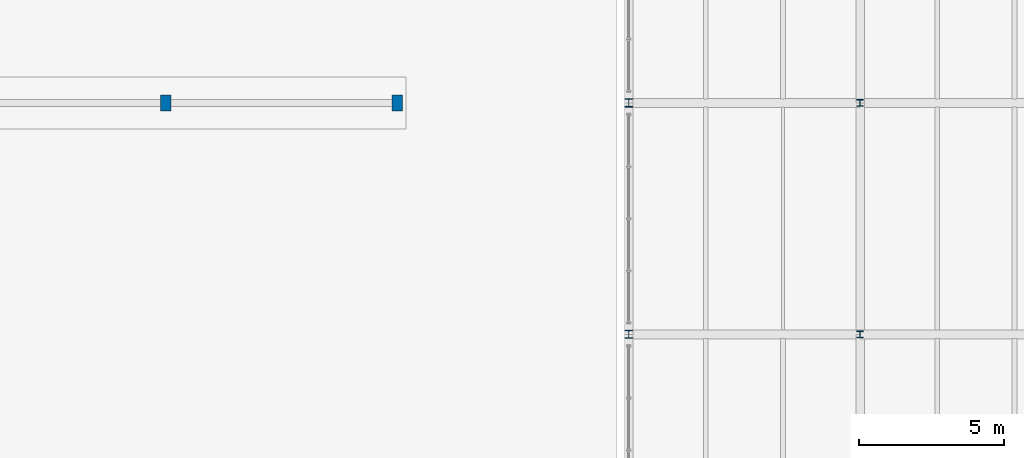
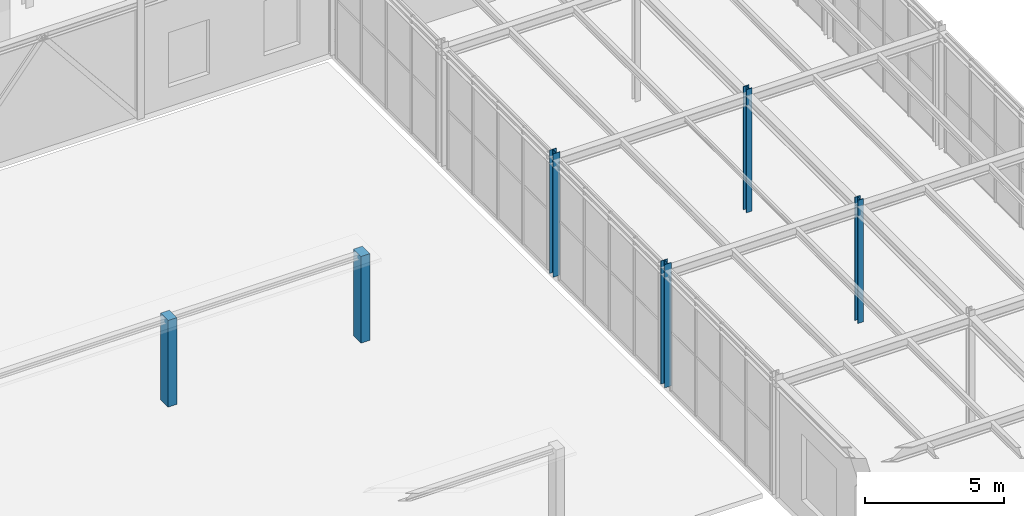
# One storey, part 7 of 129: 6 columns.
"""IFC4 building model written with IfcOpenShell, lengths in metres."""

from ifc_helpers import new_model, si_unit, direction, frame, origin, origin_2d, place, context, subcontext, project, spatial, rectangle, i_section, extrude, material, material_profile, profile_set, type_object, element, save


model = new_model("IFC4")

# Units and contexts
model_context = context("Model", 3, precision=1e-05, world=origin(), true_north=direction((0.0, 1.0)))
body_context = subcontext(model_context, "Body", "Model", "MODEL_VIEW")
ifc_project = project(units=[si_unit("LENGTHUNIT", "METRE"), si_unit("AREAUNIT", "SQUARE_METRE"), si_unit("VOLUMEUNIT", "CUBIC_METRE"), si_unit("PLANEANGLEUNIT", "RADIAN"), si_unit("MASSUNIT", "GRAM", prefix="KILO")], contexts=[model_context])

# Site, building, storey
site_placement = place(None, origin())
site = spatial("IfcSite", under=ifc_project, at=site_placement, CompositionType="ELEMENT")
building_placement = place(site_placement, origin())
building = spatial("IfcBuilding", under=site, at=building_placement, Name="Sundkrona Museum", CompositionType="ELEMENT")
storey_placement = place(building_placement, origin())
storey = spatial("IfcBuildingStorey", under=building, at=storey_placement, Name="L00", CompositionType="ELEMENT", Elevation=0.0)

# Columns
ifc_material_1 = material(Name="Steel S355J2", Category="steel")
ifc_material_profile_1 = material_profile(ifc_material_1, i_section(OverallWidth=0.280029296875, OverallDepth=0.280029296875, WebThickness=0.010498046875, FlangeThickness=0.01806640625, FilletRadius=0.02392578125, at=origin_2d()), Name="HEB 280")
ifc_profile_set_1 = profile_set([ifc_material_profile_1], Name="Steel S355J2")
column_type_1 = type_object("IfcColumnType", Name="C-HEB280", PredefinedType="COLUMN", material=ifc_profile_set_1)
for number, where, z_axis, x_axis, name in (
    (1, (80.0, 54.0, 0.0), (0.0, 0.0, 1.0), (1.0, 0.0, 0.0), "L00 Column H/11"),
    (2, (80.0, 62.0, 0.0), (0.0, 0.0, 1.0), (1.0, 0.0, 0.0), "L00 Column J/11"),
):
    element("IfcColumn", number, at=place(storey_placement, frame(where, z_axis=z_axis, x_axis=x_axis)), inside=storey, type_object=column_type_1, Name=name, PredefinedType="COLUMN", context=body_context, shape_type="SweptSolid", body=[
        extrude(i_section(OverallWidth=0.280029296875, OverallDepth=0.280029296875, WebThickness=0.010498046875, FlangeThickness=0.01806640625, FilletRadius=0.02392578125, at=origin_2d()), origin(), (0.0, 0.0, 1.0), 5.39990234375),
    ])
ifc_material_profile_2 = material_profile(ifc_material_1, i_section(OverallWidth=0.22607421875, OverallDepth=0.239990234375, WebThickness=0.015380859375, FlangeThickness=0.02587890625, FilletRadius=0.01806640625, at=origin_2d()), Name="HEM 220")
ifc_profile_set_2 = profile_set([ifc_material_profile_2], Name="Steel S355J2")
column_type_2 = type_object("IfcColumnType", Name="C-HEM220", PredefinedType="COLUMN", material=ifc_profile_set_2)
for number, where, z_axis, x_axis, name in (
    (3, (88.0, 54.0, 0.0), (0.0, 0.0, 1.0), (1.0, 0.0, 0.0), "L00 Column H/12"),
    (4, (88.0, 62.0, 0.0), (0.0, 0.0, 1.0), (1.0, 0.0, 0.0), "L00 Column J/12"),
):
    element("IfcColumn", number, at=place(storey_placement, frame(where, z_axis=z_axis, x_axis=x_axis)), inside=storey, type_object=column_type_2, Name=name, PredefinedType="COLUMN", context=body_context, shape_type="SweptSolid", body=[
        extrude(i_section(OverallWidth=0.22607421875, OverallDepth=0.239990234375, WebThickness=0.015380859375, FlangeThickness=0.02587890625, FilletRadius=0.01806640625, at=origin_2d()), origin(), (0.0, 0.0, 1.0), 5.39990234375),
    ])
ifc_material_2 = material(Name="Concrete C40/50", Category="concrete")
ifc_material_profile_3 = material_profile(ifc_material_2, rectangle(XDim=0.360107421875, YDim=0.5400390625, at=origin_2d()), Name="RC 540x360")
ifc_profile_set_3 = profile_set([ifc_material_profile_3], Name="Concrete C40/50")
column_type_3 = type_object("IfcColumnType", Name="PIL-540", PredefinedType="PILASTER", material=ifc_profile_set_3)
for number, where, z_axis, x_axis, name in (
    (5, (64.0, 62.0, 0.0), (0.0, 0.0, 1.0), (1.0, 0.0, 0.0), "Courtyard Cloister Pilaster PF-CL-07"),
    (6, (72.0, 62.0, 0.0), (0.0, 0.0, 1.0), (1.0, 0.0, 0.0), "Courtyard Cloister Pilaster PF-CL-08"),
):
    element("IfcColumn", number, at=place(storey_placement, frame(where, z_axis=z_axis, x_axis=x_axis)), inside=storey, type_object=column_type_3, Name=name, PredefinedType="PILASTER", context=body_context, shape_type="SweptSolid", body=[
        extrude(rectangle(XDim=0.360107421875, YDim=0.5400390625, at=origin_2d()), origin(), (0.0, 0.0, 1.0), 3.800048828125),
    ])

save(model, "model.ifc")
